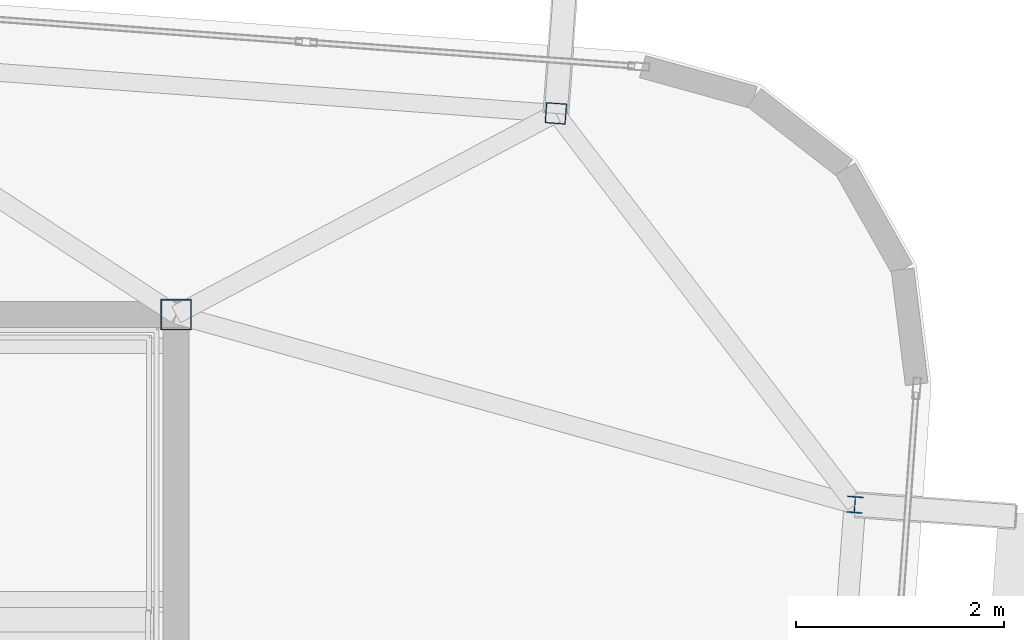
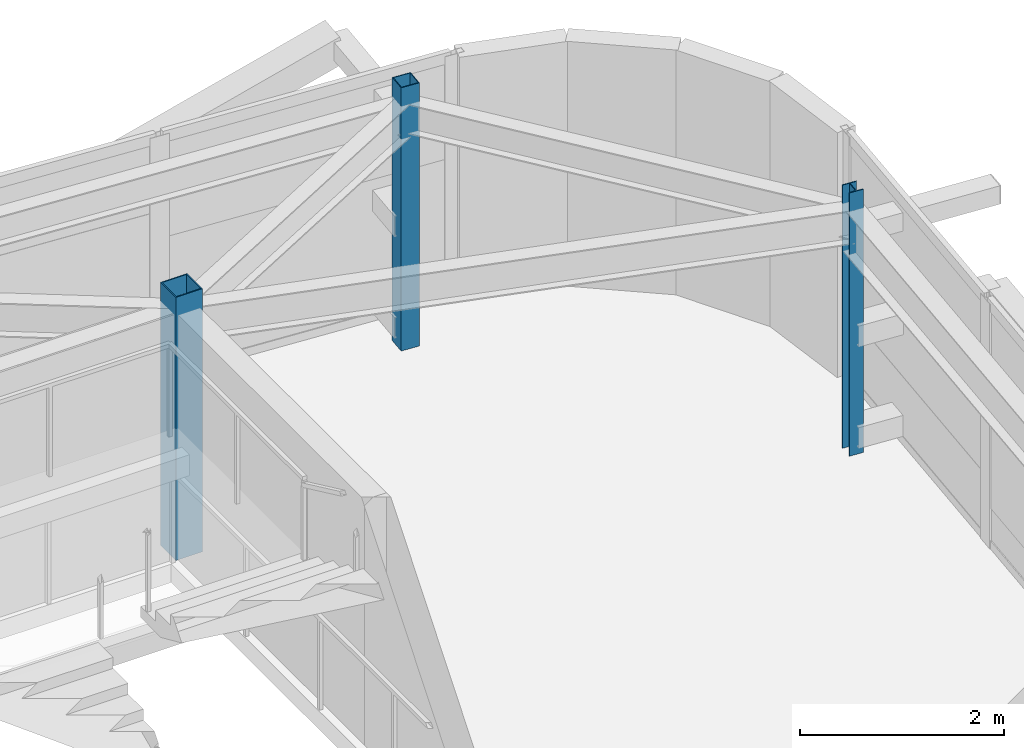
# One storey, part 6 of 42: 3 columns.
"""IFC4 building model written with IfcOpenShell, lengths in metres."""

from ifc_helpers import new_model, si_unit, direction, frame, origin, origin_2d, place, context, subcontext, project, spatial, hollow_rectangle, i_section, extrude, source, transform, mapped, material, material_profile, profile_set, type_object, element, save


model = new_model("IFC4")

# Units and contexts
model_context = context("Model", 3, precision=1e-05, world=origin(), true_north=direction((0.0, 1.0)))
body_context = subcontext(model_context, "Body", "Model", "MODEL_VIEW")
ifc_project = project(units=[si_unit("LENGTHUNIT", "METRE"), si_unit("AREAUNIT", "SQUARE_METRE"), si_unit("VOLUMEUNIT", "CUBIC_METRE"), si_unit("PLANEANGLEUNIT", "RADIAN"), si_unit("MASSUNIT", "GRAM", prefix="KILO")], contexts=[model_context])

# Site, building, storey
site_placement = place(None, origin())
site = spatial("IfcSite", under=ifc_project, at=site_placement, CompositionType="ELEMENT")
building_placement = place(site_placement, origin())
building = spatial("IfcBuilding", under=site, at=building_placement, Name="Taldren Reach Tower", CompositionType="ELEMENT")
storey_placement = place(building_placement, frame((0.0, 0.0, 224.0)))
storey = spatial("IfcBuildingStorey", under=building, at=storey_placement, Name="L68", CompositionType="ELEMENT", Elevation=224.0)

# Columns
ifc_material_1 = material(Name="Steel Gr 450 (C450L0)", Category="steel")
ifc_material_profile_1 = material_profile(ifc_material_1, hollow_rectangle(XDim=0.300048828125, YDim=0.300048828125, WallThickness=0.012451171875, at=origin_2d()), Name="300x300x12.5SHS")
ifc_profile_set_1 = profile_set([ifc_material_profile_1], Name="Steel Gr 450 (C450L0)")
column_type_1 = type_object("IfcColumnType", Name="COL-SHS300", PredefinedType="COLUMN", material=ifc_profile_set_1)
shared_shape_1 = source(origin(), body_context, "Body", "SweptSolid", [
    extrude(hollow_rectangle(XDim=0.300048828125, YDim=0.300048828125, WallThickness=0.012451171875, at=origin_2d()), origin(), (0.0, 0.0, 1.0), 3.14990234375),
])
column_1_placement = place(storey_placement, frame((51.0, 32.0, 0.0), z_axis=(0.0, 0.0, 1.0), x_axis=(1.0, 0.0, 0.0)))
element("IfcColumn", 1, at=column_1_placement, inside=storey, type_object=column_type_1, Name="Mega column MC-C8 L68", PredefinedType="COLUMN", context=body_context, shape_type="MappedRepresentation", body=[
    mapped(shared_shape_1, transform((0.0, 0.0, 0.0), scale=1.0)),
])
ifc_material_2 = material(Name="Steel Gr 350 (C350L0)", Category="steel")
ifc_material_profile_2 = material_profile(ifc_material_2, hollow_rectangle(XDim=0.199951171875, YDim=0.199951171875, WallThickness=0.009033203125, at=origin_2d()), Name="200x200x9.0SHS")
ifc_profile_set_2 = profile_set([ifc_material_profile_2], Name="Steel Gr 350 (C350L0)")
column_type_2 = type_object("IfcColumnType", Name="COL-SHS200", PredefinedType="COLUMN", material=ifc_profile_set_2)
shared_shape_2 = source(origin(), body_context, "Body", "SweptSolid", [
    extrude(hollow_rectangle(XDim=0.199951171875, YDim=0.199951171875, WallThickness=0.009033203125, at=origin_2d()), origin(), (0.0, 0.0, 1.0), 3.14990234375),
])
column_2_placement = place(storey_placement, frame((54.659423828125, 33.939697265625, 0.0), z_axis=(0.0, 0.0, 1.0), x_axis=(0.997314477224, -0.073238197128, 0.0)))
element("IfcColumn", 2, at=column_2_placement, inside=storey, type_object=column_type_2, Name="Block B5 perimeter column N6 L68", PredefinedType="COLUMN", context=body_context, shape_type="MappedRepresentation", body=[
    mapped(shared_shape_2, transform((0.0, 0.0, 0.0), scale=1.0)),
])
ifc_material_3 = material(Name="Steel Gr 350 (350PLUS)", Category="steel")
ifc_material_profile_3 = material_profile(ifc_material_3, i_section(OverallWidth=0.154052734375, OverallDepth=0.162109375, WebThickness=0.008056640625, FlangeThickness=0.011474609375, at=origin_2d()), Name="150UC37.2")
ifc_profile_set_3 = profile_set([ifc_material_profile_3], Name="Steel Gr 350 (350PLUS)")
column_type_3 = type_object("IfcColumnType", Name="COL-UC150", PredefinedType="COLUMN", material=ifc_profile_set_3)
shared_shape_3 = source(origin(), body_context, "Body", "SweptSolid", [
    extrude(i_section(OverallWidth=0.154052734375, OverallDepth=0.162109375, WebThickness=0.008056640625, FlangeThickness=0.011474609375, at=origin_2d()), origin(), (0.0, 0.0, 1.0), 3.14990234375),
])
column_3_placement = place(storey_placement, frame((57.540771484375, 30.168701171875, 0.0), z_axis=(0.0, 0.0, 1.0), x_axis=(0.997314477224, -0.073238197128, 0.0)))
element("IfcColumn", 3, at=column_3_placement, inside=storey, type_object=column_type_3, Name="Block B5 perimeter column E3 L68", PredefinedType="COLUMN", context=body_context, shape_type="MappedRepresentation", body=[
    mapped(shared_shape_3, transform((0.0, 0.0, 0.0), scale=1.0)),
])

save(model, "model.ifc")
